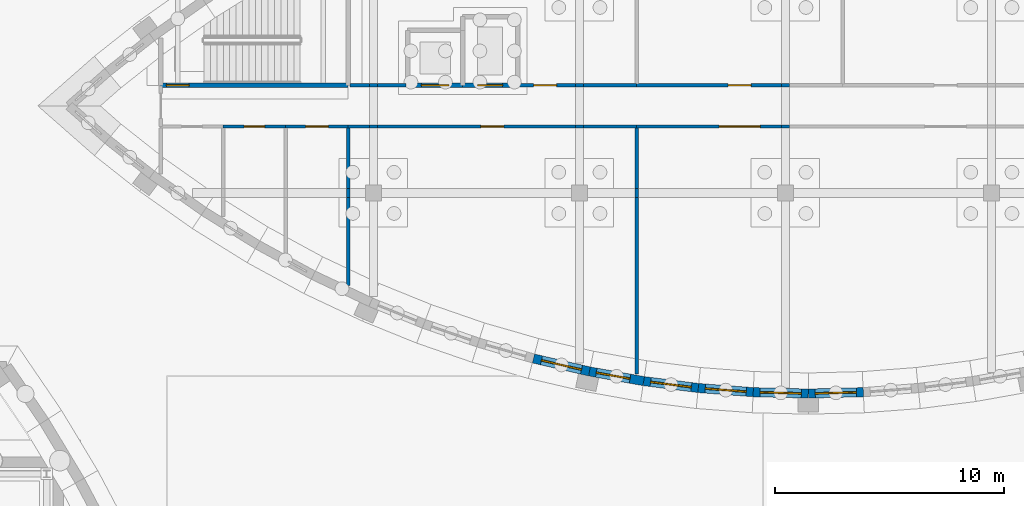
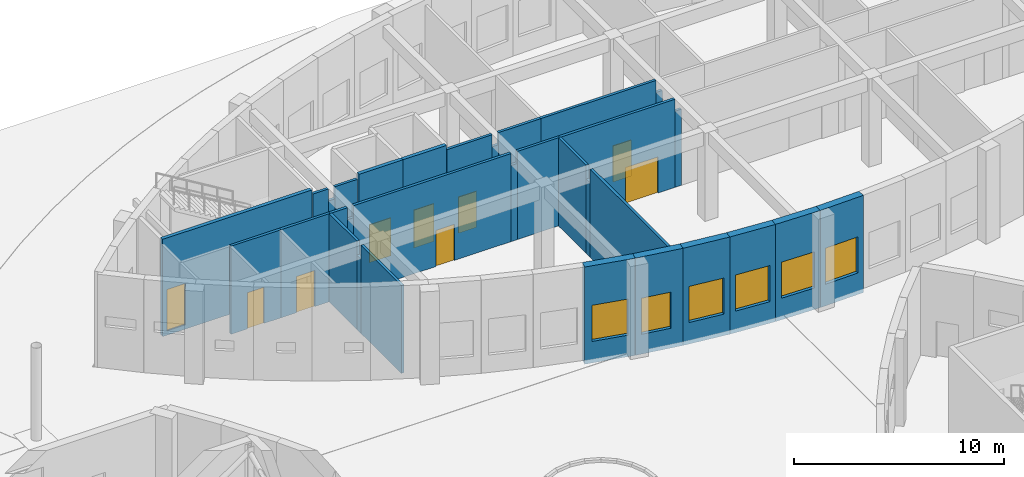
# One storey, part 63 of 82: 32 walls, 9 doors, 6 windows, 15 openings.
"""IFC4 building model written with IfcOpenShell, lengths in metres."""

from ifc_helpers import new_model, si_unit, direction, frame, frame_2d, origin, place, context, subcontext, project, spatial, rectangle, extrude, material, layer, layer_set, type_object, element, fill, save


model = new_model("IFC4")

# Units and contexts
model_context = context("Model", 3, precision=1e-05, world=origin(), true_north=direction((0.0, 1.0)))
body_context = subcontext(model_context, "Body", "Model", "MODEL_VIEW")
ifc_project = project(units=[si_unit("LENGTHUNIT", "METRE"), si_unit("AREAUNIT", "SQUARE_METRE"), si_unit("VOLUMEUNIT", "CUBIC_METRE"), si_unit("PLANEANGLEUNIT", "RADIAN"), si_unit("MASSUNIT", "GRAM", prefix="KILO")], contexts=[model_context])

# Site, building, storey
site_placement = place(None, origin())
site = spatial("IfcSite", under=ifc_project, at=site_placement, CompositionType="ELEMENT")
building_placement = place(site_placement, origin())
building = spatial("IfcBuilding", under=site, at=building_placement, Name="Tide Square Theatres", CompositionType="ELEMENT")
storey_placement = place(building_placement, origin())
storey = spatial("IfcBuildingStorey", under=building, at=storey_placement, Name="L00", CompositionType="ELEMENT", Elevation=0.0)

# Wall, opening, door
ifc_material_1 = material(Name="Gypsum board on steel studs", Category="steel")
ifc_layer_1 = layer(ifc_material_1, 0.14990234375)
ifc_layer_set_1 = layer_set([ifc_layer_1], Name="Gypsum board on steel studs")
wall_type_1 = type_object("IfcWallType", Name="Partition 150 thick", PredefinedType="PARTITIONING", material=ifc_layer_set_1)
wall_1_placement = place(storey_placement, frame((107.166748046875, 96.89990234375, 0.0), z_axis=(0.0, 0.0, 1.0), x_axis=(-1.0, 0.0, 0.0)))
wall_1 = element("IfcWall", 1, at=wall_1_placement, inside=storey, type_object=wall_type_1, Name="Rehearsal Block partition", PredefinedType="PARTITIONING", context=body_context, shape_type="SweptSolid", body=[
    extrude(rectangle(XDim=2.7333984375, YDim=0.14990234375, at=frame_2d((1.36669921875, 0.0))), origin(), (0.0, 0.0, 1.0), 5.1201171875),
])
opening_1_placement = place(wall_1_placement, frame((0.916748046875, 0.0, 0.0)))
opening_1 = element("IfcOpeningElement", 2, at=opening_1_placement, cuts=wall_1, Name="Opening R0-05", PredefinedType="OPENING", context=body_context, shape_type="SweptSolid", body=[
    extrude(rectangle(XDim=0.89990234375, YDim=2.10009765625, at=frame_2d((0.449951171875, 1.050048828125))), frame((0.0, 0.0849609375, 0.0), z_axis=(0.0, -1.0, 0.0), x_axis=(1.0, 0.0, 0.0)), (0.0, 0.0, 1.0), 0.169921875),
])
ifc_material_2 = material(Name="Hardwood timber", Category="wood")
door_type_1 = type_object("IfcDoorType", Name="Door 900 x 2100 single leaf", OperationType="NOTDEFINED", PredefinedType="DOOR", material=ifc_material_2)
door_1_placement = place(opening_1_placement, origin())
door_1 = element("IfcDoor", 3, at=door_1_placement, inside=storey, type_object=door_type_1, Name="Rehearsal Block door R0-05 to Ladies WC W", OperationType="SINGLE_SWING_RIGHT", OverallHeight=2.10009765625, OverallWidth=0.89990234375, PredefinedType="DOOR", context=body_context, shape_type="SweptSolid", body=[
    extrude(rectangle(XDim=0.89990234375, YDim=2.10009765625, at=frame_2d((0.449951171875, 1.050048828125))), frame((0.0, 0.02490234375, 0.0), z_axis=(0.0, -1.0, 0.0), x_axis=(1.0, 0.0, 0.0)), (0.0, 0.0, 1.0), 0.050048828125),
])
fill(opening_1, door_1)

wall_2_placement = place(storey_placement, frame((109.89990234375, 96.89990234375, 0.0), z_axis=(0.0, 0.0, 1.0), x_axis=(-1.0, 0.0, 0.0)))
wall_2 = element("IfcWall", 4, at=wall_2_placement, inside=storey, type_object=wall_type_1, Name="Rehearsal Block partition", PredefinedType="PARTITIONING", context=body_context, shape_type="SweptSolid", body=[
    extrude(rectangle(XDim=2.733154296875, YDim=0.14990234375, at=frame_2d((1.36669921875, 0.0))), origin(), (0.0, 0.0, 1.0), 5.1201171875),
])
opening_2_placement = place(wall_2_placement, frame((0.86669921875, 0.0, 0.0)))
opening_2 = element("IfcOpeningElement", 5, at=opening_2_placement, cuts=wall_2, Name="Opening R0-06", PredefinedType="OPENING", context=body_context, shape_type="SweptSolid", body=[
    extrude(rectangle(XDim=1.0, YDim=2.10009765625, at=frame_2d((0.5, 1.050048828125))), frame((0.0, 0.0849609375, 0.0), z_axis=(0.0, -1.0, 0.0), x_axis=(1.0, 0.0, 0.0)), (0.0, 0.0, 1.0), 0.169921875),
])
ifc_material_3 = material(Name="Hardwood timber", Category="wood")
door_type_2 = type_object("IfcDoorType", Name="Door 1000 x 2100 single leaf", OperationType="NOTDEFINED", PredefinedType="DOOR", material=ifc_material_3)
door_2_placement = place(opening_2_placement, origin())
door_2 = element("IfcDoor", 6, at=door_2_placement, inside=storey, type_object=door_type_2, Name="Rehearsal Block door R0-06 to Accessible WC W", OperationType="SINGLE_SWING_RIGHT", OverallHeight=2.10009765625, OverallWidth=1.0, PredefinedType="DOOR", context=body_context, shape_type="SweptSolid", body=[
    extrude(rectangle(XDim=1.0, YDim=2.10009765625, at=frame_2d((0.5, 1.050048828125))), frame((0.0, 0.02490234375, 0.0), z_axis=(0.0, -1.0, 0.0), x_axis=(1.0, 0.0, 0.0)), (0.0, 0.0, 1.0), 0.050048828125),
])
fill(opening_2, door_2)

# Walls
wall_3_placement = place(storey_placement, frame((109.89990234375, 96.840087890625, 0.0), z_axis=(0.0, 0.0, 1.0), x_axis=(0.0, -1.0, 0.0)))
element("IfcWall", 7, at=wall_3_placement, inside=storey, type_object=wall_type_1, Name="Rehearsal Block partition", PredefinedType="PARTITIONING", context=body_context, shape_type="SweptSolid", body=[
    extrude(rectangle(XDim=2.64013671875, YDim=0.14990234375, at=frame_2d((1.320068359375, 0.0))), origin(), (0.0, 0.0, 1.0), 5.1201171875),
])
wall_4_placement = place(storey_placement, frame((109.89990234375, 94.199951171875, 0.0), z_axis=(0.0, 0.0, 1.0), x_axis=(0.0, -1.0, 0.0)))
element("IfcWall", 8, at=wall_4_placement, inside=storey, type_object=wall_type_1, Name="Rehearsal Block partition", PredefinedType="PARTITIONING", context=body_context, shape_type="SweptSolid", body=[
    extrude(rectangle(XDim=0.39990234375, YDim=0.14990234375, at=frame_2d((0.199951171875, 0.0))), origin(), (0.0, 0.0, 1.0), 4.320068359375),
])
wall_5_placement = place(storey_placement, frame((109.89990234375, 93.800048828125, 0.0), z_axis=(0.0, 0.0, 1.0), x_axis=(0.0, -1.0, 0.0)))
element("IfcWall", 9, at=wall_5_placement, inside=storey, type_object=wall_type_1, Name="Rehearsal Block partition", PredefinedType="PARTITIONING", context=body_context, shape_type="SweptSolid", body=[
    extrude(rectangle(XDim=3.83984375, YDim=0.14990234375, at=frame_2d((1.919921875, 0.0))), origin(), (0.0, 0.0, 1.0), 5.1201171875),
])
wall_6_placement = place(storey_placement, frame((122.5, 96.89990234375, 0.0), z_axis=(0.0, 0.0, 1.0), x_axis=(-1.0, 0.0, 0.0)))
element("IfcWall", 10, at=wall_6_placement, inside=storey, type_object=wall_type_1, Name="Rehearsal Block partition", PredefinedType="PARTITIONING", context=body_context, shape_type="SweptSolid", body=[
    extrude(rectangle(XDim=2.324951171875, YDim=0.14990234375, at=frame_2d((1.16259765625, 0.0))), origin(), (0.0, 0.0, 1.0), 5.1201171875),
])
wall_7_placement = place(storey_placement, frame((120.175048828125, 96.89990234375, 0.0), z_axis=(0.0, 0.0, 1.0), x_axis=(-1.0, 0.0, 0.0)))
element("IfcWall", 11, at=wall_7_placement, inside=storey, type_object=wall_type_1, Name="Rehearsal Block partition", PredefinedType="PARTITIONING", context=body_context, shape_type="SweptSolid", body=[
    extrude(rectangle(XDim=0.35009765625, YDim=0.14990234375, at=frame_2d((0.175048828125, 0.0))), origin(), (0.0, 0.0, 1.0), 4.419921875),
])

# Wall, opening, door
wall_8_placement = place(storey_placement, frame((119.824951171875, 96.89990234375, 0.0), z_axis=(0.0, 0.0, 1.0), x_axis=(-1.0, 0.0, 0.0)))
wall_8 = element("IfcWall", 12, at=wall_8_placement, inside=storey, type_object=wall_type_1, Name="Rehearsal Block partition", PredefinedType="PARTITIONING", context=body_context, shape_type="SweptSolid", body=[
    extrude(rectangle(XDim=8.64990234375, YDim=0.14990234375, at=frame_2d((4.324951171875, 0.0))), origin(), (0.0, 0.0, 1.0), 5.1201171875),
])
opening_3_placement = place(wall_8_placement, frame((3.125, 0.0, 0.0)))
opening_3 = element("IfcOpeningElement", 13, at=opening_3_placement, cuts=wall_8, Name="Opening R0-12", PredefinedType="OPENING", context=body_context, shape_type="SweptSolid", body=[
    extrude(rectangle(XDim=1.0, YDim=2.10009765625, at=frame_2d((0.5, 1.050048828125))), frame((0.0, 0.0849609375, 0.0), z_axis=(0.0, -1.0, 0.0), x_axis=(1.0, 0.0, 0.0)), (0.0, 0.0, 1.0), 0.169921875),
])
door_3_placement = place(opening_3_placement, origin())
door_3 = element("IfcDoor", 14, at=door_3_placement, inside=storey, type_object=door_type_2, Name="Rehearsal Block door R0-12 to Education Room 01", OperationType="SINGLE_SWING_RIGHT", OverallHeight=2.10009765625, OverallWidth=1.0, PredefinedType="DOOR", context=body_context, shape_type="SweptSolid", body=[
    extrude(rectangle(XDim=1.0, YDim=2.10009765625, at=frame_2d((0.5, 1.050048828125))), frame((0.0, 0.02490234375, 0.0), z_axis=(0.0, -1.0, 0.0), x_axis=(1.0, 0.0, 0.0)), (0.0, 0.0, 1.0), 0.050048828125),
])
fill(opening_3, door_3)

# Walls
wall_9_placement = place(storey_placement, frame((111.175048828125, 96.89990234375, 0.0), z_axis=(0.0, 0.0, 1.0), x_axis=(-1.0, 0.0, 0.0)))
element("IfcWall", 15, at=wall_9_placement, inside=storey, type_object=wall_type_1, Name="Rehearsal Block partition", PredefinedType="PARTITIONING", context=body_context, shape_type="SweptSolid", body=[
    extrude(rectangle(XDim=0.35009765625, YDim=0.14990234375, at=frame_2d((0.175048828125, 0.0))), origin(), (0.0, 0.0, 1.0), 4.419921875),
])
wall_10_placement = place(storey_placement, frame((110.824951171875, 96.89990234375, 0.0), z_axis=(0.0, 0.0, 1.0), x_axis=(-1.0, 0.0, 0.0)))
element("IfcWall", 16, at=wall_10_placement, inside=storey, type_object=wall_type_1, Name="Rehearsal Block partition", PredefinedType="PARTITIONING", context=body_context, shape_type="SweptSolid", body=[
    extrude(rectangle(XDim=0.925048828125, YDim=0.14990234375, at=frame_2d((0.46240234375, 0.0))), origin(), (0.0, 0.0, 1.0), 5.1201171875),
])
wall_11_placement = place(storey_placement, frame((109.97998046875, 98.699951171875, 0.0), z_axis=(0.0, 0.0, 1.0), x_axis=(1.0, 0.0, 0.0)))
element("IfcWall", 17, at=wall_11_placement, inside=storey, type_object=wall_type_1, Name="Rehearsal Block partition", PredefinedType="PARTITIONING", context=body_context, shape_type="SweptSolid", body=[
    extrude(rectangle(XDim=0.844970703125, YDim=0.14990234375, at=frame_2d((0.42236328125, 0.0))), origin(), (0.0, 0.0, 1.0), 5.1201171875),
])
wall_12_placement = place(storey_placement, frame((110.824951171875, 98.699951171875, 0.0), z_axis=(0.0, 0.0, 1.0), x_axis=(1.0, 0.0, 0.0)))
element("IfcWall", 18, at=wall_12_placement, inside=storey, type_object=wall_type_1, Name="Rehearsal Block partition", PredefinedType="PARTITIONING", context=body_context, shape_type="SweptSolid", body=[
    extrude(rectangle(XDim=0.35009765625, YDim=0.14990234375, at=frame_2d((0.175048828125, 0.0))), origin(), (0.0, 0.0, 1.0), 4.419921875),
])
wall_13_placement = place(storey_placement, frame((111.175048828125, 98.699951171875, 0.0), z_axis=(0.0, 0.0, 1.0), x_axis=(1.0, 0.0, 0.0)))
element("IfcWall", 19, at=wall_13_placement, inside=storey, type_object=wall_type_1, Name="Rehearsal Block partition", PredefinedType="PARTITIONING", context=body_context, shape_type="SweptSolid", body=[
    extrude(rectangle(XDim=1.244873046875, YDim=0.14990234375, at=frame_2d((0.62255859375, 0.0))), origin(), (0.0, 0.0, 1.0), 5.1201171875),
])

# Wall, opening, door
wall_14_placement = place(storey_placement, frame((117.330078125, 98.699951171875, 0.0), z_axis=(0.0, 0.0, 1.0), x_axis=(1.0, 0.0, 0.0)))
wall_14 = element("IfcWall", 20, at=wall_14_placement, inside=storey, type_object=wall_type_1, Name="Rehearsal Block partition", PredefinedType="PARTITIONING", context=body_context, shape_type="SweptSolid", body=[
    extrude(rectangle(XDim=2.494873046875, YDim=0.14990234375, at=frame_2d((1.24755859375, 0.0))), origin(), (0.0, 0.0, 1.0), 5.1201171875),
])
opening_4_placement = place(wall_14_placement, frame((0.669921875, 0.0, 0.0)))
opening_4 = element("IfcOpeningElement", 21, at=opening_4_placement, cuts=wall_14, Name="Opening R0-16", PredefinedType="OPENING", context=body_context, shape_type="SweptSolid", body=[
    extrude(rectangle(XDim=1.0, YDim=2.10009765625, at=frame_2d((0.5, 1.050048828125))), frame((0.0, 0.0849609375, 0.0), z_axis=(0.0, -1.0, 0.0), x_axis=(1.0, 0.0, 0.0)), (0.0, 0.0, 1.0), 0.169921875),
])
door_4_placement = place(opening_4_placement, origin())
door_4 = element("IfcDoor", 22, at=door_4_placement, inside=storey, type_object=door_type_2, Name="Rehearsal Block door R0-16 to Library and Archive", OperationType="SINGLE_SWING_LEFT", OverallHeight=2.10009765625, OverallWidth=1.0, PredefinedType="DOOR", context=body_context, shape_type="SweptSolid", body=[
    extrude(rectangle(XDim=1.0, YDim=2.10009765625, at=frame_2d((0.5, 1.050048828125))), frame((0.0, 0.02490234375, 0.0), z_axis=(0.0, -1.0, 0.0), x_axis=(1.0, 0.0, 0.0)), (0.0, 0.0, 1.0), 0.050048828125),
])
fill(opening_4, door_4)

# Walls
wall_15_placement = place(storey_placement, frame((119.824951171875, 98.699951171875, 0.0), z_axis=(0.0, 0.0, 1.0), x_axis=(1.0, 0.0, 0.0)))
element("IfcWall", 23, at=wall_15_placement, inside=storey, type_object=wall_type_1, Name="Rehearsal Block partition", PredefinedType="PARTITIONING", context=body_context, shape_type="SweptSolid", body=[
    extrude(rectangle(XDim=0.35009765625, YDim=0.14990234375, at=frame_2d((0.175048828125, 0.0))), origin(), (0.0, 0.0, 1.0), 4.419921875),
])
wall_16_placement = place(storey_placement, frame((120.175048828125, 98.699951171875, 0.0), z_axis=(0.0, 0.0, 1.0), x_axis=(1.0, 0.0, 0.0)))
element("IfcWall", 24, at=wall_16_placement, inside=storey, type_object=wall_type_1, Name="Rehearsal Block partition", PredefinedType="PARTITIONING", context=body_context, shape_type="SweptSolid", body=[
    extrude(rectangle(XDim=2.324951171875, YDim=0.14990234375, at=frame_2d((1.16259765625, 0.0))), origin(), (0.0, 0.0, 1.0), 5.1201171875),
])
wall_17_placement = place(storey_placement, frame((122.5, 96.840087890625, 0.0), z_axis=(0.0, 0.0, 1.0), x_axis=(0.0, -1.0, 0.0)))
element("IfcWall", 25, at=wall_17_placement, inside=storey, type_object=wall_type_1, Name="Rehearsal Block partition", PredefinedType="PARTITIONING", context=body_context, shape_type="SweptSolid", body=[
    extrude(rectangle(XDim=2.64013671875, YDim=0.14990234375, at=frame_2d((1.320068359375, 0.0))), origin(), (0.0, 0.0, 1.0), 5.1201171875),
])
wall_18_placement = place(storey_placement, frame((122.5, 94.199951171875, 0.0), z_axis=(0.0, 0.0, 1.0), x_axis=(0.0, -1.0, 0.0)))
element("IfcWall", 26, at=wall_18_placement, inside=storey, type_object=wall_type_1, Name="Rehearsal Block partition", PredefinedType="PARTITIONING", context=body_context, shape_type="SweptSolid", body=[
    extrude(rectangle(XDim=0.39990234375, YDim=0.14990234375, at=frame_2d((0.199951171875, 0.0))), origin(), (0.0, 0.0, 1.0), 4.320068359375),
])
wall_19_placement = place(storey_placement, frame((122.5, 93.800048828125, 0.0), z_axis=(0.0, 0.0, 1.0), x_axis=(0.0, -1.0, 0.0)))
element("IfcWall", 27, at=wall_19_placement, inside=storey, type_object=wall_type_1, Name="Rehearsal Block partition", PredefinedType="PARTITIONING", context=body_context, shape_type="SweptSolid", body=[
    extrude(rectangle(XDim=7.7158203125, YDim=0.14990234375, at=frame_2d((3.85791015625, 0.0))), origin(), (0.0, 0.0, 1.0), 5.1201171875),
])
wall_20_placement = place(storey_placement, frame((129.175048828125, 96.89990234375, 0.0), z_axis=(0.0, 0.0, 1.0), x_axis=(-1.0, 0.0, 0.0)))
element("IfcWall", 28, at=wall_20_placement, inside=storey, type_object=wall_type_1, Name="Rehearsal Block partition", PredefinedType="PARTITIONING", context=body_context, shape_type="SweptSolid", body=[
    extrude(rectangle(XDim=0.35009765625, YDim=0.14990234375, at=frame_2d((0.175048828125, 0.0))), origin(), (0.0, 0.0, 1.0), 4.419921875),
])

# Wall, opening, door
wall_21_placement = place(storey_placement, frame((128.824951171875, 96.89990234375, 0.0), z_axis=(0.0, 0.0, 1.0), x_axis=(-1.0, 0.0, 0.0)))
wall_21 = element("IfcWall", 29, at=wall_21_placement, inside=storey, type_object=wall_type_1, Name="Rehearsal Block partition", PredefinedType="PARTITIONING", context=body_context, shape_type="SweptSolid", body=[
    extrude(rectangle(XDim=6.324951171875, YDim=0.14990234375, at=frame_2d((3.16259765625, 0.0))), origin(), (0.0, 0.0, 1.0), 5.1201171875),
])
opening_5_placement = place(wall_21_placement, frame((0.925048828125, 0.0, 0.0)))
opening_5 = element("IfcOpeningElement", 30, at=opening_5_placement, cuts=wall_21, Name="Opening R0-13", PredefinedType="OPENING", context=body_context, shape_type="SweptSolid", body=[
    extrude(rectangle(XDim=1.800048828125, YDim=2.10009765625, at=frame_2d((0.89990234375, 1.050048828125))), frame((0.0, 0.0849609375, 0.0), z_axis=(0.0, -1.0, 0.0), x_axis=(1.0, 0.0, 0.0)), (0.0, 0.0, 1.0), 0.169921875),
])
ifc_material_4 = material(Name="Hardwood timber", Category="wood")
door_type_3 = type_object("IfcDoorType", Name="Door 1800 x 2100 double leaf", OperationType="DOUBLE_DOOR_SINGLE_SWING", PredefinedType="DOOR", material=ifc_material_4)
door_5_placement = place(opening_5_placement, origin())
door_5 = element("IfcDoor", 31, at=door_5_placement, inside=storey, type_object=door_type_3, Name="Rehearsal Block door R0-13 to Community Room", OperationType="DOUBLE_DOOR_SINGLE_SWING", OverallHeight=2.10009765625, OverallWidth=1.800048828125, PredefinedType="DOOR", context=body_context, shape_type="SweptSolid", body=[
    extrude(rectangle(XDim=1.800048828125, YDim=2.10009765625, at=frame_2d((0.89990234375, 1.050048828125))), frame((0.0, 0.02490234375, 0.0), z_axis=(0.0, -1.0, 0.0), x_axis=(1.0, 0.0, 0.0)), (0.0, 0.0, 1.0), 0.050048828125),
])
fill(opening_5, door_5)

wall_22_placement = place(storey_placement, frame((122.5, 98.699951171875, 0.0), z_axis=(0.0, 0.0, 1.0), x_axis=(1.0, 0.0, 0.0)))
wall_22 = element("IfcWall", 32, at=wall_22_placement, inside=storey, type_object=wall_type_1, Name="Rehearsal Block partition", PredefinedType="PARTITIONING", context=body_context, shape_type="SweptSolid", body=[
    extrude(rectangle(XDim=6.324951171875, YDim=0.14990234375, at=frame_2d((3.16259765625, 0.0))), origin(), (0.0, 0.0, 1.0), 5.1201171875),
])
opening_6_placement = place(wall_22_placement, frame((4.0, 0.0, 0.0)))
opening_6 = element("IfcOpeningElement", 33, at=opening_6_placement, cuts=wall_22, Name="Opening R0-17", PredefinedType="OPENING", context=body_context, shape_type="SweptSolid", body=[
    extrude(rectangle(XDim=1.0, YDim=2.10009765625, at=frame_2d((0.5, 1.050048828125))), frame((0.0, 0.0849609375, 0.0), z_axis=(0.0, -1.0, 0.0), x_axis=(1.0, 0.0, 0.0)), (0.0, 0.0, 1.0), 0.169921875),
])
door_6_placement = place(opening_6_placement, origin())
door_6 = element("IfcDoor", 34, at=door_6_placement, inside=storey, type_object=door_type_2, Name="Rehearsal Block door R0-17 to Changing Room 01", OperationType="SINGLE_SWING_RIGHT", OverallHeight=2.10009765625, OverallWidth=1.0, PredefinedType="DOOR", context=body_context, shape_type="SweptSolid", body=[
    extrude(rectangle(XDim=1.0, YDim=2.10009765625, at=frame_2d((0.5, 1.050048828125))), frame((0.0, 0.02490234375, 0.0), z_axis=(0.0, -1.0, 0.0), x_axis=(1.0, 0.0, 0.0)), (0.0, 0.0, 1.0), 0.050048828125),
])
fill(opening_6, door_6)

# Wall
wall_23_placement = place(storey_placement, frame((128.824951171875, 98.699951171875, 0.0), z_axis=(0.0, 0.0, 1.0), x_axis=(1.0, 0.0, 0.0)))
element("IfcWall", 35, at=wall_23_placement, inside=storey, type_object=wall_type_1, Name="Rehearsal Block partition", PredefinedType="PARTITIONING", context=body_context, shape_type="SweptSolid", body=[
    extrude(rectangle(XDim=0.35009765625, YDim=0.14990234375, at=frame_2d((0.175048828125, 0.0))), origin(), (0.0, 0.0, 1.0), 4.419921875),
])

# Wall, opening, window
ifc_material_5 = material(Name="Concrete C40", Category="concrete")
ifc_layer_2 = layer(ifc_material_5, 0.39990234375)
ifc_layer_set_2 = layer_set([ifc_layer_2], Name="Concrete C40")
wall_type_2 = type_object("IfcWallType", Name="RC curved wall 400 thick", PredefinedType="SOLIDWALL", material=ifc_layer_set_2)
wall_24_placement = place(storey_placement, frame((117.99365234375, 86.763671875, -0.25), z_axis=(0.0, 0.0, 1.0), x_axis=(0.974210649093, -0.225640446716, 0.0)))
wall_24 = element("IfcWall", 36, at=wall_24_placement, inside=storey, type_object=wall_type_2, Name="Rehearsal Block perimeter wall 009", PredefinedType="SOLIDWALL", context=body_context, shape_type="SweptSolid", body=[
    extrude(rectangle(XDim=2.51123046875, YDim=0.39990234375, at=frame_2d((1.255615234375, 0.0))), origin(), (0.0, 0.0, 1.0), 5.64990234375),
])
opening_7_placement = place(wall_24_placement, frame((0.355712890625, 0.0, 1.25)))
opening_7 = element("IfcOpeningElement", 37, at=opening_7_placement, cuts=wall_24, Name="Opening WN-14", PredefinedType="OPENING", context=body_context, shape_type="SweptSolid", body=[
    extrude(rectangle(XDim=1.800048828125, YDim=2.10009765625, at=frame_2d((0.89990234375, 1.050048828125))), frame((0.0, 0.2099609375, 0.0), z_axis=(0.0, -1.0, 0.0), x_axis=(1.0, 0.0, 0.0)), (0.0, 0.0, 1.0), 0.419921875),
])
ifc_material_6 = material(Name="Aluminium with laminated glass", Category="aluminium")
window_type_1 = type_object("IfcWindowType", Name="Window 1800 x 2100", PartitioningType="DOUBLE_PANEL_VERTICAL", PredefinedType="WINDOW", material=ifc_material_6)
window_1_placement = place(opening_7_placement, origin())
window_1 = element("IfcWindow", 38, at=window_1_placement, inside=storey, type_object=window_type_1, Name="Rehearsal Block window L00-9", OverallHeight=2.10009765625, OverallWidth=1.800048828125, PartitioningType="SINGLE_PANEL", PredefinedType="WINDOW", context=body_context, shape_type="SweptSolid", body=[
    extrude(rectangle(XDim=1.800048828125, YDim=2.10009765625, at=frame_2d((0.89990234375, 1.050048828125))), frame((0.0, 0.030029296875, 0.0), z_axis=(0.0, -1.0, 0.0), x_axis=(1.0, 0.0, 0.0)), (0.0, 0.0, 1.0), 0.06005859375),
])
fill(opening_7, window_1)

wall_25_placement = place(storey_placement, frame((120.440185546875, 86.197021484375, -0.25), z_axis=(0.0, 0.0, 1.0), x_axis=(0.984524011381, -0.175249738987, 0.0)))
wall_25 = element("IfcWall", 39, at=wall_25_placement, inside=storey, type_object=wall_type_2, Name="Rehearsal Block perimeter wall 010", PredefinedType="SOLIDWALL", context=body_context, shape_type="SweptSolid", body=[
    extrude(rectangle(XDim=2.406005859375, YDim=0.39990234375, at=frame_2d((1.203125, 0.0))), origin(), (0.0, 0.0, 1.0), 5.64990234375),
])
opening_8_placement = place(wall_25_placement, frame((0.302978515625, 0.0, 1.14990234375)))
opening_8 = element("IfcOpeningElement", 40, at=opening_8_placement, cuts=wall_25, Name="Opening WN-01", PredefinedType="OPENING", context=body_context, shape_type="SweptSolid", body=[
    extrude(rectangle(XDim=1.5, YDim=2.10009765625, at=frame_2d((0.75, 1.050048828125))), frame((0.0, 0.2099609375, 0.0), z_axis=(0.0, -1.0, 0.0), x_axis=(1.0, 0.0, 0.0)), (0.0, 0.0, 1.0), 0.419921875),
])
ifc_material_7 = material(Name="Aluminium with laminated glass", Category="aluminium")
window_type_2 = type_object("IfcWindowType", Name="Window 1500 x 2100", PartitioningType="SINGLE_PANEL", PredefinedType="WINDOW", material=ifc_material_7)
window_2_placement = place(opening_8_placement, origin())
window_2 = element("IfcWindow", 41, at=window_2_placement, inside=storey, type_object=window_type_2, Name="Rehearsal Block window L00-10", OverallHeight=2.10009765625, OverallWidth=1.5, PartitioningType="SINGLE_PANEL", PredefinedType="WINDOW", context=body_context, shape_type="SweptSolid", body=[
    extrude(rectangle(XDim=1.5, YDim=2.10009765625, at=frame_2d((0.75, 1.050048828125))), frame((0.0, 0.030029296875, 0.0), z_axis=(0.0, -1.0, 0.0), x_axis=(1.0, 0.0, 0.0)), (0.0, 0.0, 1.0), 0.06005859375),
])
fill(opening_8, window_2)

wall_26_placement = place(storey_placement, frame((122.808837890625, 85.775390625, -0.25), z_axis=(0.0, 0.0, 1.0), x_axis=(0.99208939311, -0.125533406227, 0.0)))
wall_26 = element("IfcWall", 42, at=wall_26_placement, inside=storey, type_object=wall_type_2, Name="Rehearsal Block perimeter wall 011", PredefinedType="SOLIDWALL", context=body_context, shape_type="SweptSolid", body=[
    extrude(rectangle(XDim=2.40576171875, YDim=0.39990234375, at=frame_2d((1.202880859375, 0.0))), origin(), (0.0, 0.0, 1.0), 5.64990234375),
])
opening_9_placement = place(wall_26_placement, frame((0.302978515625, 0.0, 1.25)))
opening_9 = element("IfcOpeningElement", 43, at=opening_9_placement, cuts=wall_26, Name="Opening WN-14", PredefinedType="OPENING", context=body_context, shape_type="SweptSolid", body=[
    extrude(rectangle(XDim=1.800048828125, YDim=2.10009765625, at=frame_2d((0.89990234375, 1.050048828125))), frame((0.0, 0.2099609375, 0.0), z_axis=(0.0, -1.0, 0.0), x_axis=(1.0, 0.0, 0.0)), (0.0, 0.0, 1.0), 0.419921875),
])
window_3_placement = place(opening_9_placement, origin())
window_3 = element("IfcWindow", 44, at=window_3_placement, inside=storey, type_object=window_type_1, Name="Rehearsal Block window L00-11", OverallHeight=2.10009765625, OverallWidth=1.800048828125, PartitioningType="SINGLE_PANEL", PredefinedType="WINDOW", context=body_context, shape_type="SweptSolid", body=[
    extrude(rectangle(XDim=1.800048828125, YDim=2.10009765625, at=frame_2d((0.89990234375, 1.050048828125))), frame((0.0, 0.030029296875, 0.0), z_axis=(0.0, -1.0, 0.0), x_axis=(1.0, 0.0, 0.0)), (0.0, 0.0, 1.0), 0.06005859375),
])
fill(opening_9, window_3)

wall_27_placement = place(storey_placement, frame((125.195556640625, 85.473388671875, -0.25), z_axis=(0.0, 0.0, 1.0), x_axis=(0.997146276918, -0.075493724435, 0.0)))
wall_27 = element("IfcWall", 45, at=wall_27_placement, inside=storey, type_object=wall_type_2, Name="Rehearsal Block perimeter wall 012", PredefinedType="SOLIDWALL", context=body_context, shape_type="SweptSolid", body=[
    extrude(rectangle(XDim=2.406005859375, YDim=0.39990234375, at=frame_2d((1.203125, 0.0))), origin(), (0.0, 0.0, 1.0), 5.64990234375),
])
opening_10_placement = place(wall_27_placement, frame((0.302978515625, 0.0, 1.25)))
opening_10 = element("IfcOpeningElement", 46, at=opening_10_placement, cuts=wall_27, Name="Opening WN-14", PredefinedType="OPENING", context=body_context, shape_type="SweptSolid", body=[
    extrude(rectangle(XDim=1.800048828125, YDim=2.10009765625, at=frame_2d((0.89990234375, 1.050048828125))), frame((0.0, 0.2099609375, 0.0), z_axis=(0.0, -1.0, 0.0), x_axis=(1.0, 0.0, 0.0)), (0.0, 0.0, 1.0), 0.419921875),
])
window_4_placement = place(opening_10_placement, origin())
window_4 = element("IfcWindow", 47, at=window_4_placement, inside=storey, type_object=window_type_1, Name="Rehearsal Block window L00-12", OverallHeight=2.10009765625, OverallWidth=1.800048828125, PartitioningType="SINGLE_PANEL", PredefinedType="WINDOW", context=body_context, shape_type="SweptSolid", body=[
    extrude(rectangle(XDim=1.800048828125, YDim=2.10009765625, at=frame_2d((0.89990234375, 1.050048828125))), frame((0.0, 0.030029296875, 0.0), z_axis=(0.0, -1.0, 0.0), x_axis=(1.0, 0.0, 0.0)), (0.0, 0.0, 1.0), 0.06005859375),
])
fill(opening_10, window_4)

wall_28_placement = place(storey_placement, frame((127.5947265625, 85.291748046875, -0.25), z_axis=(0.0, 0.0, 1.0), x_axis=(0.999683321759, -0.025164582196, 0.0)))
wall_28 = element("IfcWall", 48, at=wall_28_placement, inside=storey, type_object=wall_type_2, Name="Rehearsal Block perimeter wall 013", PredefinedType="SOLIDWALL", context=body_context, shape_type="SweptSolid", body=[
    extrude(rectangle(XDim=2.406005859375, YDim=0.39990234375, at=frame_2d((1.203125, 0.0))), origin(), (0.0, 0.0, 1.0), 5.64990234375),
])
opening_11_placement = place(wall_28_placement, frame((0.302978515625, 0.0, 1.25)))
opening_11 = element("IfcOpeningElement", 49, at=opening_11_placement, cuts=wall_28, Name="Opening WN-14", PredefinedType="OPENING", context=body_context, shape_type="SweptSolid", body=[
    extrude(rectangle(XDim=1.800048828125, YDim=2.10009765625, at=frame_2d((0.89990234375, 1.050048828125))), frame((0.0, 0.2099609375, 0.0), z_axis=(0.0, -1.0, 0.0), x_axis=(1.0, 0.0, 0.0)), (0.0, 0.0, 1.0), 0.419921875),
])
window_5_placement = place(opening_11_placement, origin())
window_5 = element("IfcWindow", 50, at=window_5_placement, inside=storey, type_object=window_type_1, Name="Rehearsal Block window L00-13", OverallHeight=2.10009765625, OverallWidth=1.800048828125, PartitioningType="SINGLE_PANEL", PredefinedType="WINDOW", context=body_context, shape_type="SweptSolid", body=[
    extrude(rectangle(XDim=1.800048828125, YDim=2.10009765625, at=frame_2d((0.89990234375, 1.050048828125))), frame((0.0, 0.030029296875, 0.0), z_axis=(0.0, -1.0, 0.0), x_axis=(1.0, 0.0, 0.0)), (0.0, 0.0, 1.0), 0.06005859375),
])
fill(opening_11, window_5)

wall_29_placement = place(storey_placement, frame((130.0, 85.231201171875, -0.25), z_axis=(0.0, 0.0, 1.0), x_axis=(0.999683321759, 0.025164582196, 0.0)))
wall_29 = element("IfcWall", 51, at=wall_29_placement, inside=storey, type_object=wall_type_2, Name="Rehearsal Block perimeter wall 014", PredefinedType="SOLIDWALL", context=body_context, shape_type="SweptSolid", body=[
    extrude(rectangle(XDim=2.406005859375, YDim=0.39990234375, at=frame_2d((1.203125, 0.0))), origin(), (0.0, 0.0, 1.0), 5.64990234375),
])
opening_12_placement = place(wall_29_placement, frame((0.302978515625, 0.0, 1.25)))
opening_12 = element("IfcOpeningElement", 52, at=opening_12_placement, cuts=wall_29, Name="Opening WN-14", PredefinedType="OPENING", context=body_context, shape_type="SweptSolid", body=[
    extrude(rectangle(XDim=1.800048828125, YDim=2.10009765625, at=frame_2d((0.89990234375, 1.050048828125))), frame((0.0, 0.2099609375, 0.0), z_axis=(0.0, -1.0, 0.0), x_axis=(1.0, 0.0, 0.0)), (0.0, 0.0, 1.0), 0.419921875),
])
window_6_placement = place(opening_12_placement, origin())
window_6 = element("IfcWindow", 53, at=window_6_placement, inside=storey, type_object=window_type_1, Name="Rehearsal Block window L00-14", OverallHeight=2.10009765625, OverallWidth=1.800048828125, PartitioningType="SINGLE_PANEL", PredefinedType="WINDOW", context=body_context, shape_type="SweptSolid", body=[
    extrude(rectangle(XDim=1.800048828125, YDim=2.10009765625, at=frame_2d((0.89990234375, 1.050048828125))), frame((0.0, 0.030029296875, 0.0), z_axis=(0.0, -1.0, 0.0), x_axis=(1.0, 0.0, 0.0)), (0.0, 0.0, 1.0), 0.06005859375),
])
fill(opening_12, window_6)

# Wall, opening, door
ifc_material_8 = material(Name="Concrete C40", Category="concrete")
ifc_layer_3 = layer(ifc_material_8, 0.199951171875)
ifc_layer_set_3 = layer_set([ifc_layer_3], Name="Concrete C40")
wall_type_3 = type_object("IfcWallType", Name="RC shear wall 200 thick", PredefinedType="SHEAR", material=ifc_layer_set_3)
wall_30_placement = place(storey_placement, frame((109.89990234375, 98.699951171875, -0.25), z_axis=(0.0, 0.0, 1.0), x_axis=(-1.0, 0.0, 0.0)))
wall_30 = element("IfcWall", 54, at=wall_30_placement, inside=storey, type_object=wall_type_3, Name="Rehearsal Block stair enclosure wall", PredefinedType="SHEAR", context=body_context, shape_type="SweptSolid", body=[
    extrude(rectangle(XDim=8.199951171875, YDim=0.199951171875, at=frame_2d((4.10009765625, 0.0))), origin(), (0.0, 0.0, 1.0), 5.64990234375),
])
opening_13_placement = place(wall_30_placement, frame((6.949951171875, 0.0, 0.25)))
opening_13 = element("IfcOpeningElement", 55, at=opening_13_placement, cuts=wall_30, Name="Opening R0-20", PredefinedType="OPENING", context=body_context, shape_type="SweptSolid", body=[
    extrude(rectangle(XDim=1.0, YDim=2.39990234375, at=frame_2d((0.5, 1.199951171875))), frame((0.0, 0.10986328125, 0.0), z_axis=(0.0, -1.0, 0.0), x_axis=(1.0, 0.0, 0.0)), (0.0, 0.0, 1.0), 0.219970703125),
])
ifc_material_9 = material(Name="Hardwood timber", Category="wood")
door_type_4 = type_object("IfcDoorType", Name="Door 1000 x 2400 single leaf", OperationType="NOTDEFINED", PredefinedType="DOOR", material=ifc_material_9)
door_7_placement = place(opening_13_placement, origin())
door_7 = element("IfcDoor", 56, at=door_7_placement, inside=storey, type_object=door_type_4, Name="Rehearsal Block door R0-20 stair door to Stair 1", OperationType="SINGLE_SWING_RIGHT", OverallHeight=2.39990234375, OverallWidth=1.0, PredefinedType="DOOR", context=body_context, shape_type="SweptSolid", body=[
    extrude(rectangle(XDim=1.0, YDim=2.39990234375, at=frame_2d((0.5, 1.199951171875))), frame((0.0, 0.02490234375, 0.0), z_axis=(0.0, -1.0, 0.0), x_axis=(1.0, 0.0, 0.0)), (0.0, 0.0, 1.0), 0.050048828125),
])
fill(opening_13, door_7)

wall_31_placement = place(storey_placement, frame((117.300048828125, 98.699951171875, -1.199951171875), z_axis=(0.0, 0.0, 1.0), x_axis=(-1.0, 0.0, 0.0)))
wall_31 = element("IfcWall", 57, at=wall_31_placement, inside=storey, type_object=wall_type_3, Name="Rehearsal Block lift shaft wall", PredefinedType="SHEAR", context=body_context, shape_type="SweptSolid", body=[
    extrude(rectangle(XDim=2.400146484375, YDim=0.199951171875, at=frame_2d((1.2001953125, 0.0))), origin(), (0.0, 0.0, 1.0), 6.599853515625),
])
opening_14_placement = place(wall_31_placement, frame((0.64990234375, 0.0, 1.199951171875)))
opening_14 = element("IfcOpeningElement", 58, at=opening_14_placement, cuts=wall_31, Name="Opening LD-R2-0", PredefinedType="OPENING", context=body_context, shape_type="SweptSolid", body=[
    extrude(rectangle(XDim=1.10009765625, YDim=2.199951171875, at=frame_2d((0.550048828125, 1.10009765625))), frame((0.0, 0.10986328125, 0.0), z_axis=(0.0, -1.0, 0.0), x_axis=(1.0, 0.0, 0.0)), (0.0, 0.0, 1.0), 0.219970703125),
])
ifc_material_10 = material(Name="Painted steel", Category="steel")
door_type_5 = type_object("IfcDoorType", Name="Door 1100 x 2200 sliding", OperationType="SLIDING_TO_LEFT", PredefinedType="DOOR", material=ifc_material_10)
door_8_placement = place(opening_14_placement, origin())
door_8 = element("IfcDoor", 59, at=door_8_placement, inside=storey, type_object=door_type_5, Name="Rehearsal Block lift landing door 2 L00", OperationType="SLIDING_TO_LEFT", OverallHeight=2.199951171875, OverallWidth=1.10009765625, PredefinedType="DOOR", context=body_context, shape_type="SweptSolid", body=[
    extrude(rectangle(XDim=1.10009765625, YDim=2.199951171875, at=frame_2d((0.550048828125, 1.10009765625))), frame((0.0, 0.02490234375, 0.0), z_axis=(0.0, -1.0, 0.0), x_axis=(1.0, 0.0, 0.0)), (0.0, 0.0, 1.0), 0.050048828125),
])
fill(opening_14, door_8)

wall_32_placement = place(storey_placement, frame((114.89990234375, 98.699951171875, -1.199951171875), z_axis=(0.0, 0.0, 1.0), x_axis=(-1.0, 0.0, 0.0)))
wall_32 = element("IfcWall", 60, at=wall_32_placement, inside=storey, type_object=wall_type_3, Name="Rehearsal Block lift shaft wall", PredefinedType="SHEAR", context=body_context, shape_type="SweptSolid", body=[
    extrude(rectangle(XDim=2.39990234375, YDim=0.199951171875, at=frame_2d((1.199951171875, 0.0))), origin(), (0.0, 0.0, 1.0), 6.599853515625),
])
opening_15_placement = place(wall_32_placement, frame((0.60009765625, 0.0, 1.199951171875)))
opening_15 = element("IfcOpeningElement", 61, at=opening_15_placement, cuts=wall_32, Name="Opening LD-R1-0", PredefinedType="OPENING", context=body_context, shape_type="SweptSolid", body=[
    extrude(rectangle(XDim=1.199951171875, YDim=2.199951171875, at=frame_2d((0.60009765625, 1.10009765625))), frame((0.0, 0.10986328125, 0.0), z_axis=(0.0, -1.0, 0.0), x_axis=(1.0, 0.0, 0.0)), (0.0, 0.0, 1.0), 0.219970703125),
])
ifc_material_11 = material(Name="Painted steel", Category="steel")
door_type_6 = type_object("IfcDoorType", Name="Door 1200 x 2200 sliding", OperationType="SLIDING_TO_LEFT", PredefinedType="DOOR", material=ifc_material_11)
door_9_placement = place(opening_15_placement, origin())
door_9 = element("IfcDoor", 62, at=door_9_placement, inside=storey, type_object=door_type_6, Name="Rehearsal Block lift landing door 1 L00", OperationType="SLIDING_TO_LEFT", OverallHeight=2.199951171875, OverallWidth=1.199951171875, PredefinedType="DOOR", context=body_context, shape_type="SweptSolid", body=[
    extrude(rectangle(XDim=1.199951171875, YDim=2.199951171875, at=frame_2d((0.60009765625, 1.10009765625))), frame((0.0, 0.02490234375, 0.0), z_axis=(0.0, -1.0, 0.0), x_axis=(1.0, 0.0, 0.0)), (0.0, 0.0, 1.0), 0.050048828125),
])
fill(opening_15, door_9)

save(model, "model.ifc")
